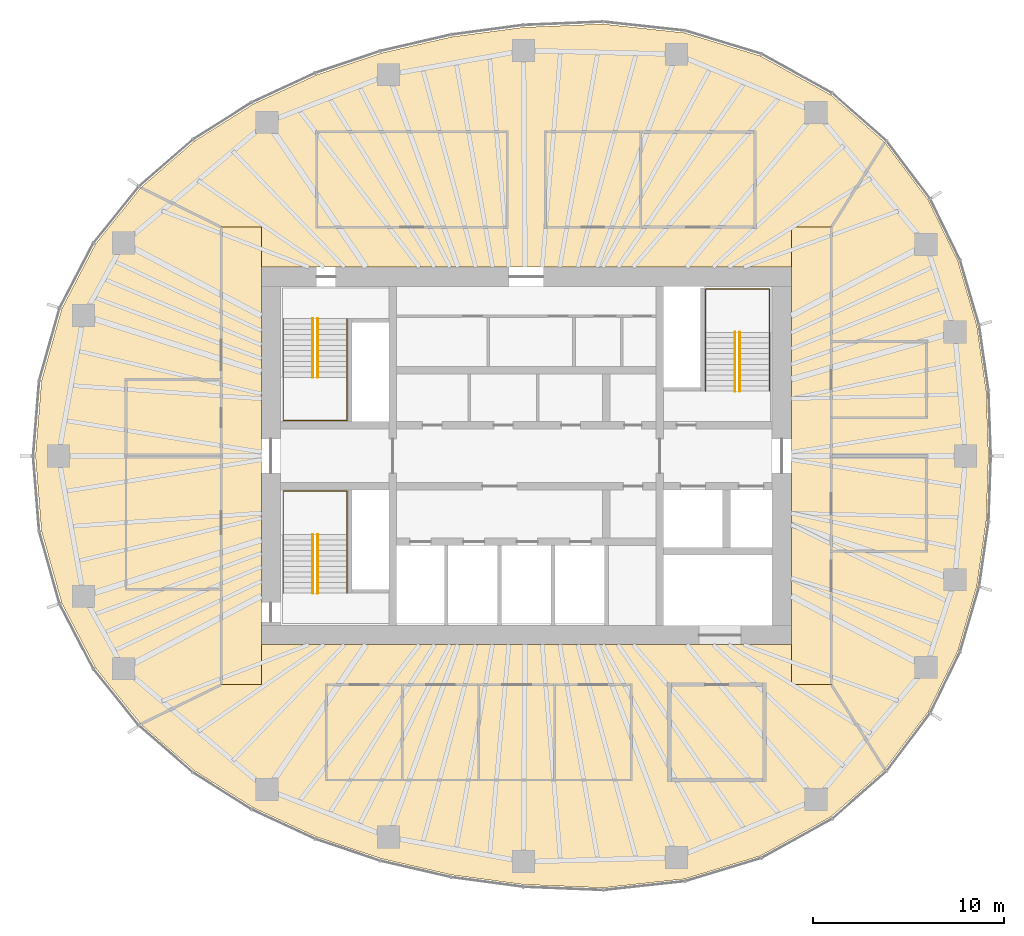
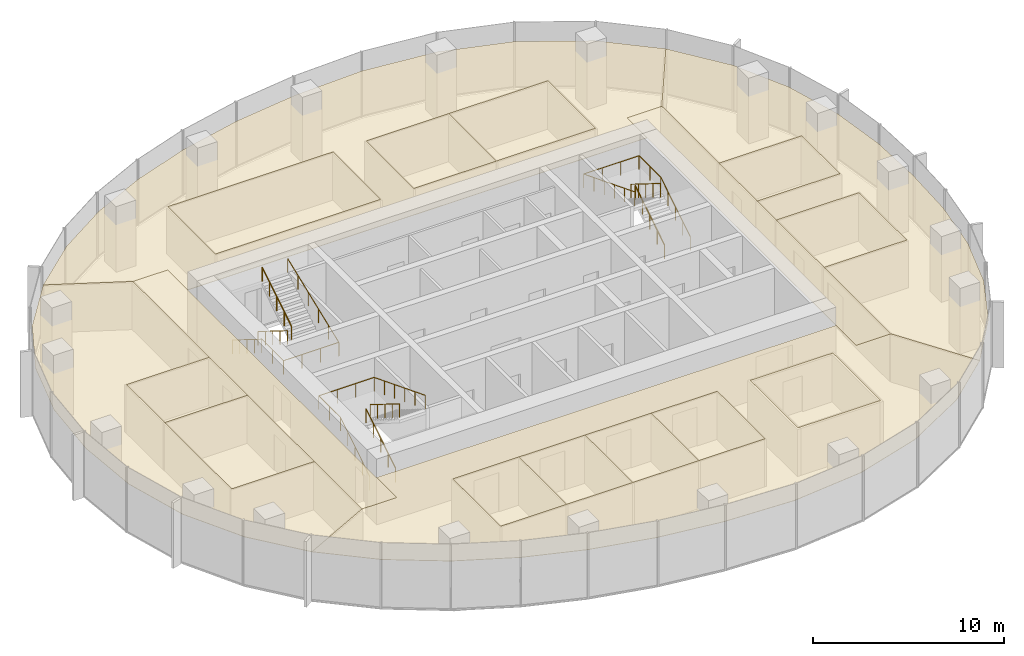
# One storey, part 11 of 11: 18 coverings, 9 railings.
"""IFC4 building model written with IfcOpenShell, lengths in metres."""

from ifc_helpers import new_model, si_unit, direction, frame, origin, origin_2d, place, context, subcontext, project, spatial, polyline, circle, outline, extrude, material, layer, layer_set, type_object, element, save


model = new_model("IFC4")

# Units and contexts
model_context = context("Model", 3, precision=1e-05, world=origin(), true_north=direction((0.0, 1.0)))
body_context = subcontext(model_context, "Body", "Model", "MODEL_VIEW")
ifc_project = project(units=[si_unit("LENGTHUNIT", "METRE"), si_unit("AREAUNIT", "SQUARE_METRE"), si_unit("VOLUMEUNIT", "CUBIC_METRE"), si_unit("PLANEANGLEUNIT", "RADIAN"), si_unit("MASSUNIT", "GRAM", prefix="KILO")], contexts=[model_context])

# Site, building, storey
site_placement = place(None, origin())
site = spatial("IfcSite", under=ifc_project, at=site_placement, CompositionType="ELEMENT")
building_placement = place(site_placement, origin())
building = spatial("IfcBuilding", under=site, at=building_placement, Name="Ghaith Harvest Tower", CompositionType="ELEMENT")
storey_placement = place(building_placement, frame((0.0, 0.0, 275.39990234375)))
storey = spatial("IfcBuildingStorey", under=building, at=storey_placement, Name="L61", CompositionType="ELEMENT", Elevation=275.39990234375)

# Coverings
ifc_material_1 = material(Name="Mineral fibre ceiling tile", Category="gypsum")
ifc_layer = layer(ifc_material_1, 0.02490234375)
ifc_layer_set = layer_set([ifc_layer], Name="CEILING C2")
covering_type = type_object("IfcCoveringType", Name="CEILING C2", PredefinedType="CEILING", material=ifc_layer_set)
covering_1_placement = place(storey_placement, frame((0.0, 0.0, 3.0)))
element("IfcCovering", 1, at=covering_1_placement, inside=storey, type_object=covering_type, Name="Ceiling L61-01", PredefinedType="CEILING", context=body_context, shape_type="SweptSolid", body=[
    extrude(outline(polyline([(-11.0, 12.0), (-1.0, 12.0), (-1.0, 17.0), (-11.0, 17.0), (-11.0, 12.0)])), origin(), (0.0, 0.0, 1.0), 0.025146484375),
])
covering_2_placement = place(storey_placement, frame((0.0, 0.0, 3.0)))
element("IfcCovering", 2, at=covering_2_placement, inside=storey, type_object=covering_type, Name="Ceiling L61-02", PredefinedType="CEILING", context=body_context, shape_type="SweptSolid", body=[
    extrude(outline(polyline([(1.0, 12.0), (6.0, 12.0), (6.0, 17.0), (1.0, 17.0), (1.0, 12.0)])), origin(), (0.0, 0.0, 1.0), 0.025146484375),
])
covering_3_placement = place(storey_placement, frame((0.0, 0.0, 3.0)))
element("IfcCovering", 3, at=covering_3_placement, inside=storey, type_object=covering_type, Name="Ceiling L61-03", PredefinedType="CEILING", context=body_context, shape_type="SweptSolid", body=[
    extrude(outline(polyline([(6.0, 12.0), (12.0, 12.0), (12.0, 17.0), (6.0, 17.0), (6.0, 12.0)])), origin(), (0.0, 0.0, 1.0), 0.025146484375),
])
covering_4_placement = place(storey_placement, frame((0.0, 0.0, 3.0)))
element("IfcCovering", 4, at=covering_4_placement, inside=storey, type_object=covering_type, Name="Ceiling L61-04", PredefinedType="CEILING", context=body_context, shape_type="SweptSolid", body=[
    extrude(outline(polyline([(-10.5, -17.0), (-6.5, -17.0), (-6.5, -12.0), (-10.5, -12.0), (-10.5, -17.0)])), origin(), (0.0, 0.0, 1.0), 0.025146484375),
])
covering_5_placement = place(storey_placement, frame((0.0, 0.0, 3.0)))
element("IfcCovering", 5, at=covering_5_placement, inside=storey, type_object=covering_type, Name="Ceiling L61-05", PredefinedType="CEILING", context=body_context, shape_type="SweptSolid", body=[
    extrude(outline(polyline([(-6.5, -17.0), (-2.5, -17.0), (-2.5, -12.0), (-6.5, -12.0), (-6.5, -17.0)])), origin(), (0.0, 0.0, 1.0), 0.025146484375),
])
covering_6_placement = place(storey_placement, frame((0.0, 0.0, 3.0)))
element("IfcCovering", 6, at=covering_6_placement, inside=storey, type_object=covering_type, Name="Ceiling L61-06", PredefinedType="CEILING", context=body_context, shape_type="SweptSolid", body=[
    extrude(outline(polyline([(-2.5, -17.0), (1.5, -17.0), (1.5, -12.0), (-2.5, -12.0), (-2.5, -17.0)])), origin(), (0.0, 0.0, 1.0), 0.025146484375),
])
covering_7_placement = place(storey_placement, frame((0.0, 0.0, 3.0)))
element("IfcCovering", 7, at=covering_7_placement, inside=storey, type_object=covering_type, Name="Ceiling L61-07", PredefinedType="CEILING", context=body_context, shape_type="SweptSolid", body=[
    extrude(outline(polyline([(1.5, -17.0), (5.5, -17.0), (5.5, -12.0), (1.5, -12.0), (1.5, -17.0)])), origin(), (0.0, 0.0, 1.0), 0.025146484375),
])
covering_8_placement = place(storey_placement, frame((0.0, 0.0, 3.0)))
element("IfcCovering", 8, at=covering_8_placement, inside=storey, type_object=covering_type, Name="Ceiling L61-08", PredefinedType="CEILING", context=body_context, shape_type="SweptSolid", body=[
    extrude(outline(polyline([(7.5, -17.0), (12.5, -17.0), (12.5, -12.0), (7.5, -12.0), (7.5, -17.0)])), origin(), (0.0, 0.0, 1.0), 0.025146484375),
])
covering_9_placement = place(storey_placement, frame((0.0, 0.0, 3.0)))
element("IfcCovering", 9, at=covering_9_placement, inside=storey, type_object=covering_type, Name="Ceiling L61-09", PredefinedType="CEILING", context=body_context, shape_type="SweptSolid", body=[
    extrude(outline(polyline([(-21.0, -7.0), (-16.0, -7.0), (-16.0, 0.0), (-21.0, 0.0), (-21.0, -7.0)])), origin(), (0.0, 0.0, 1.0), 0.025146484375),
])
covering_10_placement = place(storey_placement, frame((0.0, 0.0, 3.0)))
element("IfcCovering", 10, at=covering_10_placement, inside=storey, type_object=covering_type, Name="Ceiling L61-10", PredefinedType="CEILING", context=body_context, shape_type="SweptSolid", body=[
    extrude(outline(polyline([(-21.0, 0.0), (-16.0, 0.0), (-16.0, 4.0), (-21.0, 4.0), (-21.0, 0.0)])), origin(), (0.0, 0.0, 1.0), 0.025146484375),
])
covering_11_placement = place(storey_placement, frame((0.0, 0.0, 3.0)))
element("IfcCovering", 11, at=covering_11_placement, inside=storey, type_object=covering_type, Name="Ceiling L61-11", PredefinedType="CEILING", context=body_context, shape_type="SweptSolid", body=[
    extrude(outline(polyline([(16.0, -5.0), (21.0, -5.0), (21.0, 0.0), (16.0, 0.0), (16.0, -5.0)])), origin(), (0.0, 0.0, 1.0), 0.025146484375),
])
covering_12_placement = place(storey_placement, frame((0.0, 0.0, 3.0)))
element("IfcCovering", 12, at=covering_12_placement, inside=storey, type_object=covering_type, Name="Ceiling L61-12", PredefinedType="CEILING", context=body_context, shape_type="SweptSolid", body=[
    extrude(outline(polyline([(16.0, 2.0), (21.0, 2.0), (21.0, 6.0), (16.0, 6.0), (16.0, 2.0)])), origin(), (0.0, 0.0, 1.0), 0.025146484375),
])
covering_13_placement = place(storey_placement, frame((0.0, 0.0, 3.0)))
element("IfcCovering", 13, at=covering_13_placement, inside=storey, type_object=covering_type, Name="Ceiling L61-C1", PredefinedType="CEILING", context=body_context, shape_type="SweptSolid", body=[
    extrude(outline(polyline([(-13.89990234375, 12.0), (-13.89990234375, -12.0), (-16.0, -12.0), (-16.0, 12.0), (-13.89990234375, 12.0)])), origin(), (0.0, 0.0, 1.0), 0.025146484375),
])
covering_14_placement = place(storey_placement, frame((0.0, 0.0, 3.0)))
element("IfcCovering", 14, at=covering_14_placement, inside=storey, type_object=covering_type, Name="Ceiling L61-C2", PredefinedType="CEILING", context=body_context, shape_type="SweptSolid", body=[
    extrude(outline(polyline([(13.89990234375, -12.0), (13.89990234375, 12.0), (16.0, 12.0), (16.0, -12.0), (13.89990234375, -12.0)])), origin(), (0.0, 0.0, 1.0), 0.025146484375),
])
covering_15_placement = place(storey_placement, frame((0.0, 0.0, 3.0)))
element("IfcCovering", 15, at=covering_15_placement, inside=storey, type_object=covering_type, Name="Ceiling L61-N1", PredefinedType="CEILING", context=body_context, shape_type="SweptSolid", body=[
    extrude(outline(polyline([(-17.40771484375, 16.518310546875), (-14.331298828125, 18.452880859375), (-11.009521484375, 19.98779296875), (-7.6298828125, 21.12548828125), (-3.92529296875, 21.98046875), (-0.15380859375, 22.486083984375), (4.016845703125, 22.658447265625), (8.2978515625, 22.1962890625), (12.273681640625, 20.98828125), (15.971923828125, 18.940185546875), (18.810791015625, 16.4482421875), (16.0, 12.0), (13.89990234375, 12.0), (13.89990234375, 9.89990234375), (-13.89990234375, 9.89990234375), (-13.89990234375, 12.0), (-16.0, 12.0), (-20.225830078125, 14.0732421875), (-17.40771484375, 16.518310546875)]), holes=[polyline([(-1.0, 17.0), (-11.0, 17.0), (-11.0, 12.0), (-1.0, 12.0), (-1.0, 17.0)]), polyline([(12.0, 17.0), (1.0, 17.0), (1.0, 12.0), (12.0, 12.0), (12.0, 17.0)])]), origin(), (0.0, 0.0, 1.0), 0.025146484375),
])
covering_16_placement = place(storey_placement, frame((0.0, 0.0, 3.0)))
element("IfcCovering", 16, at=covering_16_placement, inside=storey, type_object=covering_type, Name="Ceiling L61-E1", PredefinedType="CEILING", context=body_context, shape_type="SweptSolid", body=[
    extrude(outline(polyline([(21.087890625, 13.42041015625), (22.644775390625, 10.222900390625), (23.6376953125, 6.831787109375), (24.129150390625, 3.4169921875), (24.25, 0.0), (24.129150390625, -3.4169921875), (23.6376953125, -6.831787109375), (22.644775390625, -10.222900390625), (21.087890625, -13.42041015625), (18.810791015625, -16.4482421875), (16.0, -12.0), (16.0, -5.0), (21.0, -5.0), (21.0, 0.0), (16.0, 0.0), (16.0, 2.0), (21.0, 2.0), (21.0, 6.0), (16.0, 6.0), (16.0, 12.0), (18.810791015625, 16.4482421875), (21.087890625, 13.42041015625)])), origin(), (0.0, 0.0, 1.0), 0.025146484375),
])
covering_17_placement = place(storey_placement, frame((0.0, 0.0, 3.0)))
element("IfcCovering", 17, at=covering_17_placement, inside=storey, type_object=covering_type, Name="Ceiling L61-S1", PredefinedType="CEILING", context=body_context, shape_type="SweptSolid", body=[
    extrude(outline(polyline([(-17.40771484375, -16.518310546875), (-20.225830078125, -14.0732421875), (-16.0, -12.0), (-13.89990234375, -12.0), (-13.89990234375, -9.89990234375), (13.89990234375, -9.89990234375), (13.89990234375, -12.0), (16.0, -12.0), (18.810791015625, -16.4482421875), (15.971923828125, -18.940185546875), (12.273681640625, -20.98828125), (8.2978515625, -22.1962890625), (4.016845703125, -22.658447265625), (-0.15380859375, -22.486083984375), (-3.92529296875, -21.98046875), (-7.6298828125, -21.12548828125), (-11.009521484375, -19.98779296875), (-14.331298828125, -18.452880859375), (-17.40771484375, -16.518310546875)]), holes=[polyline([(5.5, -12.0), (-10.5, -12.0), (-10.5, -17.0), (5.5, -17.0), (5.5, -12.0)]), polyline([(7.5, -12.0), (7.5, -17.0), (12.5, -17.0), (12.5, -12.0), (7.5, -12.0)])]), origin(), (0.0, 0.0, 1.0), 0.025146484375),
])
covering_18_placement = place(storey_placement, frame((0.0, 0.0, 3.0)))
element("IfcCovering", 18, at=covering_18_placement, inside=storey, type_object=covering_type, Name="Ceiling L61-W1", PredefinedType="CEILING", context=body_context, shape_type="SweptSolid", body=[
    extrude(outline(polyline([(-22.5986328125, -11.12353515625), (-24.368408203125, -7.722900390625), (-25.43310546875, -3.93359375), (-25.75, 0.0), (-25.43310546875, 3.93359375), (-24.368408203125, 7.722900390625), (-22.5986328125, 11.12353515625), (-20.225830078125, 14.0732421875), (-16.0, 12.0), (-16.0, 4.0), (-21.0, 4.0), (-21.0, -7.0), (-16.0, -7.0), (-16.0, -12.0), (-20.225830078125, -14.0732421875), (-22.5986328125, -11.12353515625)])), origin(), (0.0, 0.0, 1.0), 0.025146484375),
])

# Railings
ifc_material_2 = material(Name="Steel, black powder-coated", Category="steel")
railing_type = type_object("IfcRailingType", Name="HANDRAIL HR1", PredefinedType="HANDRAIL", material=ifc_material_2)
railing_1_placement = place(storey_placement, frame((-11.199951171875, 7.199951171875, 0.175048828125)))
element("IfcRailing", 19, at=railing_1_placement, inside=storey, type_object=railing_type, Name="Handrail HR1 stair ST1 L61 flight 1 inner", PredefinedType="HANDRAIL", context=body_context, shape_type="SweptSolid", body=[
    extrude(circle(Radius=0.02392578125, at=origin_2d()), frame((0.0, 0.0, 0.8759765625), z_axis=(0.0, -0.847979421464, 0.530029150871), x_axis=(1.0, 0.0, 0.0)), (0.0, 0.0, 1.0), 3.632080078125),
    extrude(circle(Radius=0.02099609375, at=origin_2d()), origin(), (0.0, 0.0, 1.0), 0.851806640625),
    extrude(circle(Radius=0.02099609375, at=origin_2d()), frame((0.0, -0.77001953125, 0.481201171875)), (0.0, 0.0, 1.0), 0.851806640625),
    extrude(circle(Radius=0.02099609375, at=origin_2d()), frame((0.0, -1.5400390625, 0.96240234375)), (0.0, 0.0, 1.0), 0.851806640625),
    extrude(circle(Radius=0.02099609375, at=origin_2d()), frame((0.0, -2.309814453125, 1.44384765625)), (0.0, 0.0, 1.0), 0.851806640625),
    extrude(circle(Radius=0.02099609375, at=origin_2d()), frame((0.0, -3.079833984375, 1.925048828125)), (0.0, 0.0, 1.0), 0.851806640625),
])
railing_2_placement = place(storey_placement, frame((-10.949951171875, 4.1201171875, 2.275146484375)))
element("IfcRailing", 20, at=railing_2_placement, inside=storey, type_object=railing_type, Name="Handrail HR1 stair ST1 L61 flight 2 inner", PredefinedType="HANDRAIL", context=body_context, shape_type="SweptSolid", body=[
    extrude(circle(Radius=0.02392578125, at=origin_2d()), frame((0.0, 0.0, 0.8759765625), z_axis=(0.0, 0.847979421464, 0.530029150871), x_axis=(-1.0, 0.0, 0.0)), (0.0, 0.0, 1.0), 3.632080078125),
    extrude(circle(Radius=0.02099609375, at=origin_2d()), origin(), (0.0, 0.0, 1.0), 0.851806640625),
    extrude(circle(Radius=0.02099609375, at=origin_2d()), frame((0.0, 0.77001953125, 0.481201171875)), (0.0, 0.0, 1.0), 0.851806640625),
    extrude(circle(Radius=0.02099609375, at=origin_2d()), frame((0.0, 1.5400390625, 0.96240234375)), (0.0, 0.0, 1.0), 0.851806640625),
    extrude(circle(Radius=0.02099609375, at=origin_2d()), frame((0.0, 2.309814453125, 1.44384765625)), (0.0, 0.0, 1.0), 0.851806640625),
    extrude(circle(Radius=0.02099609375, at=origin_2d()), frame((0.0, 3.079833984375, 1.925048828125)), (0.0, 0.0, 1.0), 0.851806640625),
])
railing_3_placement = place(storey_placement, frame((-12.75, 7.199951171875, 0.175048828125)))
element("IfcRailing", 21, at=railing_3_placement, inside=storey, type_object=railing_type, Name="Handrail HR1 stair ST1 L61 wall side", PredefinedType="HANDRAIL", context=body_context, shape_type="SweptSolid", body=[
    extrude(circle(Radius=0.02392578125, at=origin_2d()), frame((0.0, 0.0, 0.8759765625), z_axis=(0.0, -0.847979421464, 0.530029150871), x_axis=(1.0, 0.0, 0.0)), (0.0, 0.0, 1.0), 3.632080078125),
    extrude(circle(Radius=0.02392578125, at=origin_2d()), frame((0.0, -3.079833984375, 2.80078125), z_axis=(0.0, -1.0, 0.0), x_axis=(1.0, 0.0, 0.0)), (0.0, 0.0, 1.0), 2.27001953125),
    extrude(circle(Radius=0.02392578125, at=origin_2d()), frame((0.0, -5.349853515625, 2.80078125), z_axis=(1.0, 0.0, 0.0), x_axis=(0.0, 1.0, 0.0)), (0.0, 0.0, 1.0), 3.35009765625),
    extrude(circle(Radius=0.02392578125, at=origin_2d()), frame((3.35009765625, -5.349853515625, 2.80078125), z_axis=(0.0, 0.930848013298, 0.36540659017), x_axis=(-1.0, 0.0, 0.0)), (0.0, 0.0, 1.0), 5.747314453125),
    extrude(circle(Radius=0.02099609375, at=origin_2d()), origin(), (0.0, 0.0, 1.0), 0.851806640625),
    extrude(circle(Radius=0.02099609375, at=origin_2d()), frame((0.0, -0.77001953125, 0.481201171875)), (0.0, 0.0, 1.0), 0.851806640625),
    extrude(circle(Radius=0.02099609375, at=origin_2d()), frame((0.0, -1.5400390625, 0.96240234375)), (0.0, 0.0, 1.0), 0.851806640625),
    extrude(circle(Radius=0.02099609375, at=origin_2d()), frame((0.0, -2.309814453125, 1.44384765625)), (0.0, 0.0, 1.0), 0.851806640625),
    extrude(circle(Radius=0.02099609375, at=origin_2d()), frame((0.0, -3.079833984375, 1.925048828125)), (0.0, 0.0, 1.0), 0.851806640625),
    extrude(circle(Radius=0.02099609375, at=origin_2d()), frame((0.0, -4.21484375, 1.925048828125)), (0.0, 0.0, 1.0), 0.851806640625),
    extrude(circle(Radius=0.02099609375, at=origin_2d()), frame((0.0, -5.349853515625, 1.925048828125)), (0.0, 0.0, 1.0), 0.851806640625),
    extrude(circle(Radius=0.02099609375, at=origin_2d()), frame((1.11669921875, -5.349853515625, 1.925048828125)), (0.0, 0.0, 1.0), 0.851806640625),
    extrude(circle(Radius=0.02099609375, at=origin_2d()), frame((2.2333984375, -5.349853515625, 1.925048828125)), (0.0, 0.0, 1.0), 0.851806640625),
    extrude(circle(Radius=0.02099609375, at=origin_2d()), frame((3.35009765625, -5.349853515625, 1.925048828125)), (0.0, 0.0, 1.0), 0.851806640625),
    extrude(circle(Radius=0.02099609375, at=origin_2d()), frame((3.35009765625, -4.27978515625, 2.344970703125)), (0.0, 0.0, 1.0), 0.851806640625),
    extrude(circle(Radius=0.02099609375, at=origin_2d()), frame((3.35009765625, -3.2099609375, 2.76513671875)), (0.0, 0.0, 1.0), 0.851806640625),
    extrude(circle(Radius=0.02099609375, at=origin_2d()), frame((3.35009765625, -2.139892578125, 3.18505859375)), (0.0, 0.0, 1.0), 0.851806640625),
    extrude(circle(Radius=0.02099609375, at=origin_2d()), frame((3.35009765625, -1.070068359375, 3.605224609375)), (0.0, 0.0, 1.0), 0.851806640625),
    extrude(circle(Radius=0.02099609375, at=origin_2d()), frame((3.35009765625, 0.0, 4.025146484375)), (0.0, 0.0, 1.0), 0.851806640625),
])
railing_4_placement = place(storey_placement, frame((-11.199951171875, -7.199951171875, 0.175048828125)))
element("IfcRailing", 22, at=railing_4_placement, inside=storey, type_object=railing_type, Name="Handrail HR1 stair ST3 L61 flight 1 inner", PredefinedType="HANDRAIL", context=body_context, shape_type="SweptSolid", body=[
    extrude(circle(Radius=0.02392578125, at=origin_2d()), frame((0.0, 0.0, 0.8759765625), z_axis=(0.0, 0.847979421464, 0.530029150871), x_axis=(-1.0, 0.0, 0.0)), (0.0, 0.0, 1.0), 3.632080078125),
    extrude(circle(Radius=0.02099609375, at=origin_2d()), origin(), (0.0, 0.0, 1.0), 0.851806640625),
    extrude(circle(Radius=0.02099609375, at=origin_2d()), frame((0.0, 0.77001953125, 0.481201171875)), (0.0, 0.0, 1.0), 0.851806640625),
    extrude(circle(Radius=0.02099609375, at=origin_2d()), frame((0.0, 1.5400390625, 0.96240234375)), (0.0, 0.0, 1.0), 0.851806640625),
    extrude(circle(Radius=0.02099609375, at=origin_2d()), frame((0.0, 2.309814453125, 1.44384765625)), (0.0, 0.0, 1.0), 0.851806640625),
    extrude(circle(Radius=0.02099609375, at=origin_2d()), frame((0.0, 3.079833984375, 1.925048828125)), (0.0, 0.0, 1.0), 0.851806640625),
])
railing_5_placement = place(storey_placement, frame((-10.949951171875, -4.1201171875, 2.275146484375)))
element("IfcRailing", 23, at=railing_5_placement, inside=storey, type_object=railing_type, Name="Handrail HR1 stair ST3 L61 flight 2 inner", PredefinedType="HANDRAIL", context=body_context, shape_type="SweptSolid", body=[
    extrude(circle(Radius=0.02392578125, at=origin_2d()), frame((0.0, 0.0, 0.8759765625), z_axis=(0.0, -0.847979421464, 0.530029150871), x_axis=(1.0, 0.0, 0.0)), (0.0, 0.0, 1.0), 3.632080078125),
    extrude(circle(Radius=0.02099609375, at=origin_2d()), origin(), (0.0, 0.0, 1.0), 0.851806640625),
    extrude(circle(Radius=0.02099609375, at=origin_2d()), frame((0.0, -0.77001953125, 0.481201171875)), (0.0, 0.0, 1.0), 0.851806640625),
    extrude(circle(Radius=0.02099609375, at=origin_2d()), frame((0.0, -1.5400390625, 0.96240234375)), (0.0, 0.0, 1.0), 0.851806640625),
    extrude(circle(Radius=0.02099609375, at=origin_2d()), frame((0.0, -2.309814453125, 1.44384765625)), (0.0, 0.0, 1.0), 0.851806640625),
    extrude(circle(Radius=0.02099609375, at=origin_2d()), frame((0.0, -3.079833984375, 1.925048828125)), (0.0, 0.0, 1.0), 0.851806640625),
])
railing_6_placement = place(storey_placement, frame((-12.75, -7.199951171875, 0.175048828125)))
element("IfcRailing", 24, at=railing_6_placement, inside=storey, type_object=railing_type, Name="Handrail HR1 stair ST3 L61 wall side", PredefinedType="HANDRAIL", context=body_context, shape_type="SweptSolid", body=[
    extrude(circle(Radius=0.02392578125, at=origin_2d()), frame((0.0, 0.0, 0.8759765625), z_axis=(0.0, 0.847979421464, 0.530029150871), x_axis=(-1.0, 0.0, 0.0)), (0.0, 0.0, 1.0), 3.632080078125),
    extrude(circle(Radius=0.02392578125, at=origin_2d()), frame((0.0, 3.079833984375, 2.80078125), z_axis=(0.0, 1.0, 0.0), x_axis=(-1.0, 0.0, 0.0)), (0.0, 0.0, 1.0), 2.27001953125),
    extrude(circle(Radius=0.02392578125, at=origin_2d()), frame((0.0, 5.349853515625, 2.80078125), z_axis=(1.0, 0.0, 0.0), x_axis=(0.0, 1.0, 0.0)), (0.0, 0.0, 1.0), 3.35009765625),
    extrude(circle(Radius=0.02392578125, at=origin_2d()), frame((3.35009765625, 5.349853515625, 2.80078125), z_axis=(0.0, -0.930848013298, 0.36540659017), x_axis=(1.0, 0.0, 0.0)), (0.0, 0.0, 1.0), 5.747314453125),
    extrude(circle(Radius=0.02099609375, at=origin_2d()), origin(), (0.0, 0.0, 1.0), 0.851806640625),
    extrude(circle(Radius=0.02099609375, at=origin_2d()), frame((0.0, 0.77001953125, 0.481201171875)), (0.0, 0.0, 1.0), 0.851806640625),
    extrude(circle(Radius=0.02099609375, at=origin_2d()), frame((0.0, 1.5400390625, 0.96240234375)), (0.0, 0.0, 1.0), 0.851806640625),
    extrude(circle(Radius=0.02099609375, at=origin_2d()), frame((0.0, 2.309814453125, 1.44384765625)), (0.0, 0.0, 1.0), 0.851806640625),
    extrude(circle(Radius=0.02099609375, at=origin_2d()), frame((0.0, 3.079833984375, 1.925048828125)), (0.0, 0.0, 1.0), 0.851806640625),
    extrude(circle(Radius=0.02099609375, at=origin_2d()), frame((0.0, 4.21484375, 1.925048828125)), (0.0, 0.0, 1.0), 0.851806640625),
    extrude(circle(Radius=0.02099609375, at=origin_2d()), frame((0.0, 5.349853515625, 1.925048828125)), (0.0, 0.0, 1.0), 0.851806640625),
    extrude(circle(Radius=0.02099609375, at=origin_2d()), frame((1.11669921875, 5.349853515625, 1.925048828125)), (0.0, 0.0, 1.0), 0.851806640625),
    extrude(circle(Radius=0.02099609375, at=origin_2d()), frame((2.2333984375, 5.349853515625, 1.925048828125)), (0.0, 0.0, 1.0), 0.851806640625),
    extrude(circle(Radius=0.02099609375, at=origin_2d()), frame((3.35009765625, 5.349853515625, 1.925048828125)), (0.0, 0.0, 1.0), 0.851806640625),
    extrude(circle(Radius=0.02099609375, at=origin_2d()), frame((3.35009765625, 4.27978515625, 2.344970703125)), (0.0, 0.0, 1.0), 0.851806640625),
    extrude(circle(Radius=0.02099609375, at=origin_2d()), frame((3.35009765625, 3.2099609375, 2.76513671875)), (0.0, 0.0, 1.0), 0.851806640625),
    extrude(circle(Radius=0.02099609375, at=origin_2d()), frame((3.35009765625, 2.139892578125, 3.18505859375)), (0.0, 0.0, 1.0), 0.851806640625),
    extrude(circle(Radius=0.02099609375, at=origin_2d()), frame((3.35009765625, 1.070068359375, 3.605224609375)), (0.0, 0.0, 1.0), 0.851806640625),
    extrude(circle(Radius=0.02099609375, at=origin_2d()), frame((3.35009765625, 0.0, 4.025146484375)), (0.0, 0.0, 1.0), 0.851806640625),
])
railing_7_placement = place(storey_placement, frame((11.199951171875, 3.39990234375, 0.175048828125)))
element("IfcRailing", 25, at=railing_7_placement, inside=storey, type_object=railing_type, Name="Handrail HR1 stair ST2 L61 flight 1 inner", PredefinedType="HANDRAIL", context=body_context, shape_type="SweptSolid", body=[
    extrude(circle(Radius=0.02392578125, at=origin_2d()), frame((0.0, 0.0, 0.8759765625), z_axis=(0.0, 0.847998304005, 0.529998940003), x_axis=(-1.0, 0.0, 0.0)), (0.0, 0.0, 1.0), 3.632080078125),
    extrude(circle(Radius=0.02099609375, at=origin_2d()), origin(), (0.0, 0.0, 1.0), 0.851806640625),
    extrude(circle(Radius=0.02099609375, at=origin_2d()), frame((0.0, 0.77001953125, 0.481201171875)), (0.0, 0.0, 1.0), 0.851806640625),
    extrude(circle(Radius=0.02099609375, at=origin_2d()), frame((0.0, 1.5400390625, 0.96240234375)), (0.0, 0.0, 1.0), 0.851806640625),
    extrude(circle(Radius=0.02099609375, at=origin_2d()), frame((0.0, 2.31005859375, 1.44384765625)), (0.0, 0.0, 1.0), 0.851806640625),
    extrude(circle(Radius=0.02099609375, at=origin_2d()), frame((0.0, 3.080078125, 1.925048828125)), (0.0, 0.0, 1.0), 0.851806640625),
])
railing_8_placement = place(storey_placement, frame((10.949951171875, 6.47998046875, 2.275146484375)))
element("IfcRailing", 26, at=railing_8_placement, inside=storey, type_object=railing_type, Name="Handrail HR1 stair ST2 L61 flight 2 inner", PredefinedType="HANDRAIL", context=body_context, shape_type="SweptSolid", body=[
    extrude(circle(Radius=0.02392578125, at=origin_2d()), frame((0.0, 0.0, 0.8759765625), z_axis=(0.0, -0.847998304005, 0.529998940003), x_axis=(1.0, 0.0, 0.0)), (0.0, 0.0, 1.0), 3.632080078125),
    extrude(circle(Radius=0.02099609375, at=origin_2d()), origin(), (0.0, 0.0, 1.0), 0.851806640625),
    extrude(circle(Radius=0.02099609375, at=origin_2d()), frame((0.0, -0.77001953125, 0.481201171875)), (0.0, 0.0, 1.0), 0.851806640625),
    extrude(circle(Radius=0.02099609375, at=origin_2d()), frame((0.0, -1.5400390625, 0.96240234375)), (0.0, 0.0, 1.0), 0.851806640625),
    extrude(circle(Radius=0.02099609375, at=origin_2d()), frame((0.0, -2.31005859375, 1.44384765625)), (0.0, 0.0, 1.0), 0.851806640625),
    extrude(circle(Radius=0.02099609375, at=origin_2d()), frame((0.0, -3.080078125, 1.925048828125)), (0.0, 0.0, 1.0), 0.851806640625),
])
railing_9_placement = place(storey_placement, frame((12.75, 3.39990234375, 0.175048828125)))
element("IfcRailing", 27, at=railing_9_placement, inside=storey, type_object=railing_type, Name="Handrail HR1 stair ST2 L61 wall side", PredefinedType="HANDRAIL", context=body_context, shape_type="SweptSolid", body=[
    extrude(circle(Radius=0.02392578125, at=origin_2d()), frame((0.0, 0.0, 0.8759765625), z_axis=(0.0, 0.847998304005, 0.529998940003), x_axis=(-1.0, 0.0, 0.0)), (0.0, 0.0, 1.0), 3.632080078125),
    extrude(circle(Radius=0.02392578125, at=origin_2d()), frame((0.0, 3.080078125, 2.80078125), z_axis=(0.0, 1.0, 0.0), x_axis=(-1.0, 0.0, 0.0)), (0.0, 0.0, 1.0), 2.27001953125),
    extrude(circle(Radius=0.02392578125, at=origin_2d()), frame((0.0, 5.35009765625, 2.80078125), z_axis=(-1.0, 0.0, 0.0), x_axis=(0.0, -1.0, 0.0)), (0.0, 0.0, 1.0), 3.35009765625),
    extrude(circle(Radius=0.02392578125, at=origin_2d()), frame((-3.35009765625, 5.35009765625, 2.80078125), z_axis=(0.0, -0.930853684876, 0.365392141887), x_axis=(1.0, 0.0, 0.0)), (0.0, 0.0, 1.0), 5.74755859375),
    extrude(circle(Radius=0.02099609375, at=origin_2d()), origin(), (0.0, 0.0, 1.0), 0.851806640625),
    extrude(circle(Radius=0.02099609375, at=origin_2d()), frame((0.0, 0.77001953125, 0.481201171875)), (0.0, 0.0, 1.0), 0.851806640625),
    extrude(circle(Radius=0.02099609375, at=origin_2d()), frame((0.0, 1.5400390625, 0.96240234375)), (0.0, 0.0, 1.0), 0.851806640625),
    extrude(circle(Radius=0.02099609375, at=origin_2d()), frame((0.0, 2.31005859375, 1.44384765625)), (0.0, 0.0, 1.0), 0.851806640625),
    extrude(circle(Radius=0.02099609375, at=origin_2d()), frame((0.0, 3.080078125, 1.925048828125)), (0.0, 0.0, 1.0), 0.851806640625),
    extrude(circle(Radius=0.02099609375, at=origin_2d()), frame((0.0, 4.215087890625, 1.925048828125)), (0.0, 0.0, 1.0), 0.851806640625),
    extrude(circle(Radius=0.02099609375, at=origin_2d()), frame((0.0, 5.35009765625, 1.925048828125)), (0.0, 0.0, 1.0), 0.851806640625),
    extrude(circle(Radius=0.02099609375, at=origin_2d()), frame((-1.11669921875, 5.35009765625, 1.925048828125)), (0.0, 0.0, 1.0), 0.851806640625),
    extrude(circle(Radius=0.02099609375, at=origin_2d()), frame((-2.2333984375, 5.35009765625, 1.925048828125)), (0.0, 0.0, 1.0), 0.851806640625),
    extrude(circle(Radius=0.02099609375, at=origin_2d()), frame((-3.35009765625, 5.35009765625, 1.925048828125)), (0.0, 0.0, 1.0), 0.851806640625),
    extrude(circle(Radius=0.02099609375, at=origin_2d()), frame((-3.35009765625, 4.280029296875, 2.344970703125)), (0.0, 0.0, 1.0), 0.851806640625),
    extrude(circle(Radius=0.02099609375, at=origin_2d()), frame((-3.35009765625, 3.2099609375, 2.76513671875)), (0.0, 0.0, 1.0), 0.851806640625),
    extrude(circle(Radius=0.02099609375, at=origin_2d()), frame((-3.35009765625, 2.14013671875, 3.18505859375)), (0.0, 0.0, 1.0), 0.851806640625),
    extrude(circle(Radius=0.02099609375, at=origin_2d()), frame((-3.35009765625, 1.070068359375, 3.605224609375)), (0.0, 0.0, 1.0), 0.851806640625),
    extrude(circle(Radius=0.02099609375, at=origin_2d()), frame((-3.35009765625, 0.0, 4.025146484375)), (0.0, 0.0, 1.0), 0.851806640625),
])

save(model, "model.ifc")
